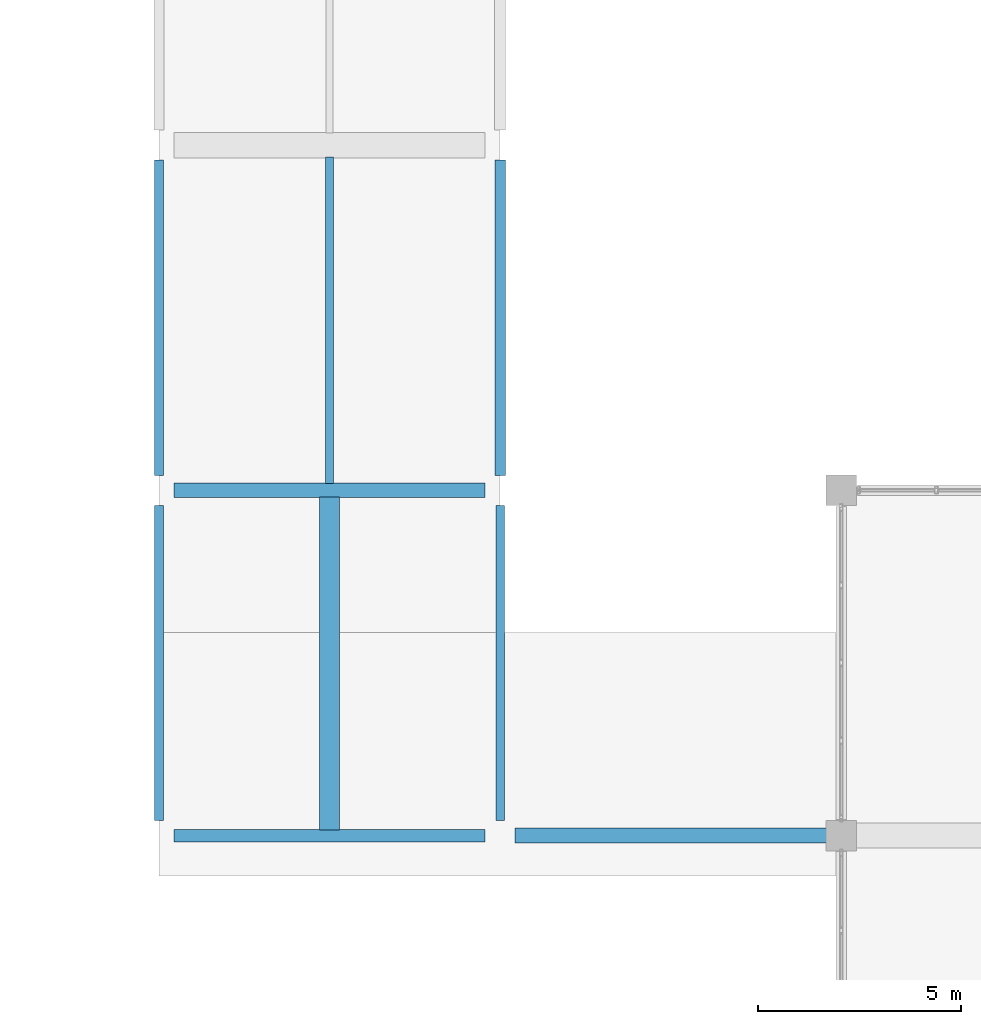
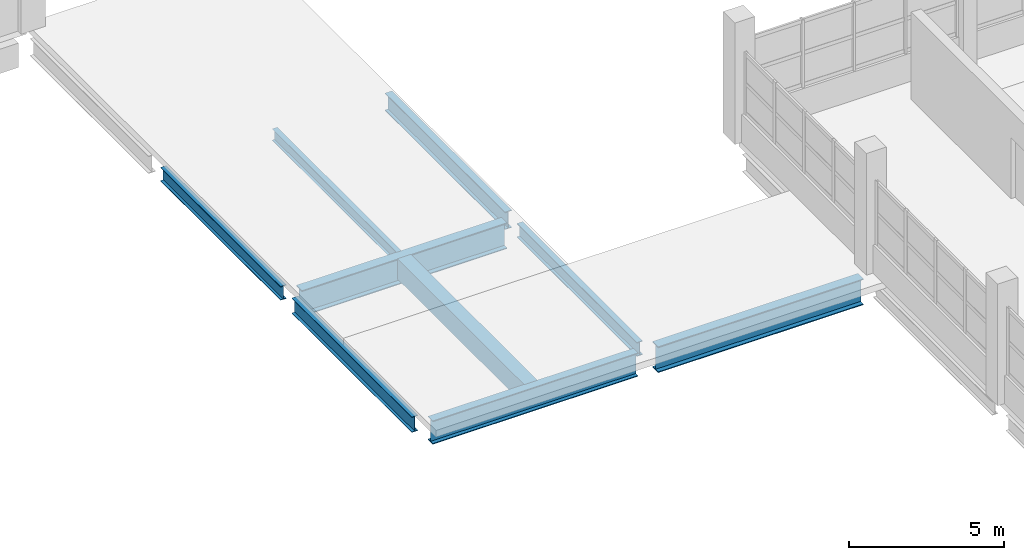
# One storey, part 50 of 117: 9 beams.
"""IFC4 building model written with IfcOpenShell, lengths in metres."""

from ifc_helpers import new_model, si_unit, direction, frame, origin, origin_2d, place, context, subcontext, project, spatial, rectangle, i_section, extrude, material, material_profile, profile_set, type_object, element, save


model = new_model("IFC4")

# Units and contexts
model_context = context("Model", 3, precision=1e-05, world=origin(), true_north=direction((0.0, 1.0)))
body_context = subcontext(model_context, "Body", "Model", "MODEL_VIEW")
ifc_project = project(units=[si_unit("LENGTHUNIT", "METRE"), si_unit("AREAUNIT", "SQUARE_METRE"), si_unit("VOLUMEUNIT", "CUBIC_METRE"), si_unit("PLANEANGLEUNIT", "RADIAN"), si_unit("MASSUNIT", "GRAM", prefix="KILO")], contexts=[model_context])

# Site, building, storey
site_placement = place(None, origin())
site = spatial("IfcSite", under=ifc_project, at=site_placement, CompositionType="ELEMENT")
building_placement = place(site_placement, origin())
building = spatial("IfcBuilding", under=site, at=building_placement, Name="Solvento Point Concert Hall", CompositionType="ELEMENT")
storey_placement = place(building_placement, frame((0.0, 0.0, 5.39990234375)))
storey = spatial("IfcBuildingStorey", under=building, at=storey_placement, Name="L01", CompositionType="ELEMENT", Elevation=5.39990234375)

# Beams
ifc_material_1 = material(Name="Concrete C35/45", Category="concrete")
ifc_material_profile_1 = material_profile(ifc_material_1, rectangle(XDim=0.5, YDim=0.800048828125, at=origin_2d()), Name="RC-BM-500X800")
ifc_profile_set_1 = profile_set([ifc_material_profile_1], Name="Concrete C35/45")
beam_type_1 = type_object("IfcBeamType", Name="Beam_RC_500x800", PredefinedType="BEAM", material=ifc_profile_set_1)
beam_1_placement = place(storey_placement, frame((137.39990234375, 17.138671875, -0.663818359375), z_axis=(0.0, 1.0, 0.0), x_axis=(-1.0, 0.0, 0.0)))
element("IfcBeam", 1, at=beam_1_placement, inside=storey, type_object=beam_type_1, Name="Secondary floor joist B-63 L01", PredefinedType="BEAM", context=body_context, shape_type="SweptSolid", body=[
    extrude(rectangle(XDim=0.5, YDim=0.800048828125, at=origin_2d()), origin(), (0.0, 0.0, 1.0), 8.19580078125),
])
ifc_material_2 = material(Name="Structural Steel ASTM A992 Grade 50", Category="steel")
ifc_material_profile_2 = material_profile(ifc_material_2, i_section(OverallWidth=0.214111328125, OverallDepth=0.549072265625, WebThickness=0.0146484375, FlangeThickness=0.023681640625, at=origin_2d()), Name="W21X93")
ifc_profile_set_2 = profile_set([ifc_material_profile_2], Name="Structural Steel ASTM A992 Grade 50")
beam_type_2 = type_object("IfcBeamType", Name="Beam_W21X93", PredefinedType="BEAM", material=ifc_profile_set_2)
for number, where, z_axis, x_axis, name in (
    (2, (133.199951171875, 25.868896484375, -0.538330078125), (0.0, 1.0, 0.0), (-1.0, 0.0, 0.0), "Primary girder B-48 L01"),
    (3, (141.60009765625, 17.368896484375, -0.538330078125), (0.0, 1.0, 0.0), (-1.0, 0.0, 0.0), "Primary girder B-48 L01"),
):
    element("IfcBeam", number, at=place(storey_placement, frame(where, z_axis=z_axis, x_axis=x_axis)), inside=storey, type_object=beam_type_2, Name=name, PredefinedType="BEAM", context=body_context, shape_type="SweptSolid", body=[
        extrude(i_section(OverallWidth=0.214111328125, OverallDepth=0.549072265625, WebThickness=0.0146484375, FlangeThickness=0.023681640625, at=origin_2d()), origin(), (0.0, 0.0, 1.0), 7.76220703125),
    ])
ifc_material_3 = material(Name="Structural Steel ASTM A992 Grade 50", Category="steel")
ifc_material_profile_3 = material_profile(ifc_material_3, i_section(OverallWidth=0.228515625, OverallDepth=0.60791015625, WebThickness=0.01123046875, FlangeThickness=0.017333984375, at=origin_2d()), Name="W24X76")
ifc_profile_set_3 = profile_set([ifc_material_profile_3], Name="Structural Steel ASTM A992 Grade 50")
beam_type_3 = type_object("IfcBeamType", Name="Beam_W24X76", PredefinedType="BEAM", material=ifc_profile_set_3)
beam_2_placement = place(storey_placement, frame((133.199951171875, 17.368896484375, -0.56787109375), z_axis=(0.0, 1.0, 0.0), x_axis=(-1.0, 0.0, 0.0)))
element("IfcBeam", 4, at=beam_2_placement, inside=storey, type_object=beam_type_3, Name="Primary girder B-42 L01", PredefinedType="BEAM", context=body_context, shape_type="SweptSolid", body=[
    extrude(i_section(OverallWidth=0.228515625, OverallDepth=0.60791015625, WebThickness=0.01123046875, FlangeThickness=0.017333984375, at=origin_2d()), origin(), (0.0, 0.0, 1.0), 7.76220703125),
])
ifc_material_4 = material(Name="Structural Steel ASTM A992 Grade 50", Category="steel")
ifc_material_profile_4 = material_profile(ifc_material_4, i_section(OverallWidth=0.256103515625, OverallDepth=0.693115234375, WebThickness=0.014404296875, FlangeThickness=0.023681640625, at=origin_2d()), Name="W27X114")
ifc_profile_set_4 = profile_set([ifc_material_profile_4], Name="Structural Steel ASTM A992 Grade 50")
beam_type_4 = type_object("IfcBeamType", Name="Girder_W27X114", PredefinedType="USERDEFINED", material=ifc_profile_set_4)
beam_3_placement = place(storey_placement, frame((141.60009765625, 25.868896484375, -0.6103515625), z_axis=(0.0, 1.0, 0.0), x_axis=(-1.0, 0.0, 0.0)))
element("IfcBeam", 5, at=beam_3_placement, inside=storey, type_object=beam_type_4, Name="Primary girder B-23 L01", ObjectType="GIRDER", PredefinedType="USERDEFINED", context=body_context, shape_type="SweptSolid", body=[
    extrude(i_section(OverallWidth=0.256103515625, OverallDepth=0.693115234375, WebThickness=0.014404296875, FlangeThickness=0.023681640625, at=origin_2d()), origin(), (0.0, 0.0, 1.0), 7.76220703125),
])
ifc_material_5 = material(Name="Structural Steel ASTM A992 Grade 50", Category="steel")
ifc_material_profile_5 = material_profile(ifc_material_5, i_section(OverallWidth=0.3076171875, OverallDepth=0.927001953125, WebThickness=0.019287109375, FlangeThickness=0.031982421875, at=origin_2d()), Name="W36X194")
ifc_profile_set_5 = profile_set([ifc_material_profile_5], Name="Structural Steel ASTM A992 Grade 50")
beam_type_5 = type_object("IfcBeamType", Name="Girder_W36X194", PredefinedType="USERDEFINED", material=ifc_profile_set_5)
beam_4_placement = place(storey_placement, frame((133.569091796875, 17.0, -0.727294921875), z_axis=(1.0, 0.0, 0.0), x_axis=(0.0, 1.0, 0.0)))
element("IfcBeam", 6, at=beam_4_placement, inside=storey, type_object=beam_type_5, Name="Primary girder B-61 L01", ObjectType="GIRDER", PredefinedType="USERDEFINED", context=body_context, shape_type="SweptSolid", body=[
    extrude(i_section(OverallWidth=0.3076171875, OverallDepth=0.927001953125, WebThickness=0.019287109375, FlangeThickness=0.031982421875, at=origin_2d()), origin(), (0.0, 0.0, 1.0), 7.661865234375),
])
ifc_material_6 = material(Name="Structural Steel ASTM A992 Grade 50", Category="steel")
ifc_material_profile_6 = material_profile(ifc_material_6, i_section(OverallWidth=0.361083984375, OverallDepth=1.02587890625, WebThickness=0.01904296875, FlangeThickness=0.0361328125, at=origin_2d()), Name="W40X249")
ifc_profile_set_6 = profile_set([ifc_material_profile_6], Name="Structural Steel ASTM A992 Grade 50")
beam_type_6 = type_object("IfcBeamType", Name="Girder_W40X249", PredefinedType="USERDEFINED", material=ifc_profile_set_6)
beam_5_placement = place(storey_placement, frame((141.968994140625, 17.0, -0.77685546875), z_axis=(1.0, 0.0, 0.0), x_axis=(0.0, 1.0, 0.0)))
element("IfcBeam", 7, at=beam_5_placement, inside=storey, type_object=beam_type_6, Name="Primary girder B-29 L01", ObjectType="GIRDER", PredefinedType="USERDEFINED", context=body_context, shape_type="SweptSolid", body=[
    extrude(i_section(OverallWidth=0.361083984375, OverallDepth=1.02587890625, WebThickness=0.01904296875, FlangeThickness=0.0361328125, at=origin_2d()), origin(), (0.0, 0.0, 1.0), 7.662109375),
])
beam_6_placement = place(storey_placement, frame((133.569091796875, 25.5, -0.77685546875), z_axis=(1.0, 0.0, 0.0), x_axis=(0.0, 1.0, 0.0)))
element("IfcBeam", 8, at=beam_6_placement, inside=storey, type_object=beam_type_6, Name="Primary girder B-29 L01", ObjectType="GIRDER", PredefinedType="USERDEFINED", context=body_context, shape_type="SweptSolid", body=[
    extrude(i_section(OverallWidth=0.361083984375, OverallDepth=1.02587890625, WebThickness=0.01904296875, FlangeThickness=0.0361328125, at=origin_2d()), origin(), (0.0, 0.0, 1.0), 7.661865234375),
])
ifc_material_7 = material(Name="Structural Steel ASTM A992 Grade 50", Category="steel")
ifc_material_profile_7 = material_profile(ifc_material_7, i_section(OverallWidth=0.1904296875, OverallDepth=0.45703125, WebThickness=0.009033203125, FlangeThickness=0.014404296875, at=origin_2d()), Name="W18X50")
ifc_profile_set_7 = profile_set([ifc_material_profile_7], Name="Structural Steel ASTM A992 Grade 50")
beam_type_7 = type_object("IfcBeamType", Name="Joist_W18X50", PredefinedType="JOIST", material=ifc_profile_set_7)
beam_7_placement = place(storey_placement, frame((137.39990234375, 25.66552734375, -0.492431640625), z_axis=(0.0, 1.0, 0.0), x_axis=(-1.0, 0.0, 0.0)))
element("IfcBeam", 9, at=beam_7_placement, inside=storey, type_object=beam_type_7, Name="Secondary floor joist B-66 L01", PredefinedType="JOIST", context=body_context, shape_type="SweptSolid", body=[
    extrude(i_section(OverallWidth=0.1904296875, OverallDepth=0.45703125, WebThickness=0.009033203125, FlangeThickness=0.014404296875, at=origin_2d()), origin(), (0.0, 0.0, 1.0), 8.03955078125),
])

save(model, "model.ifc")
